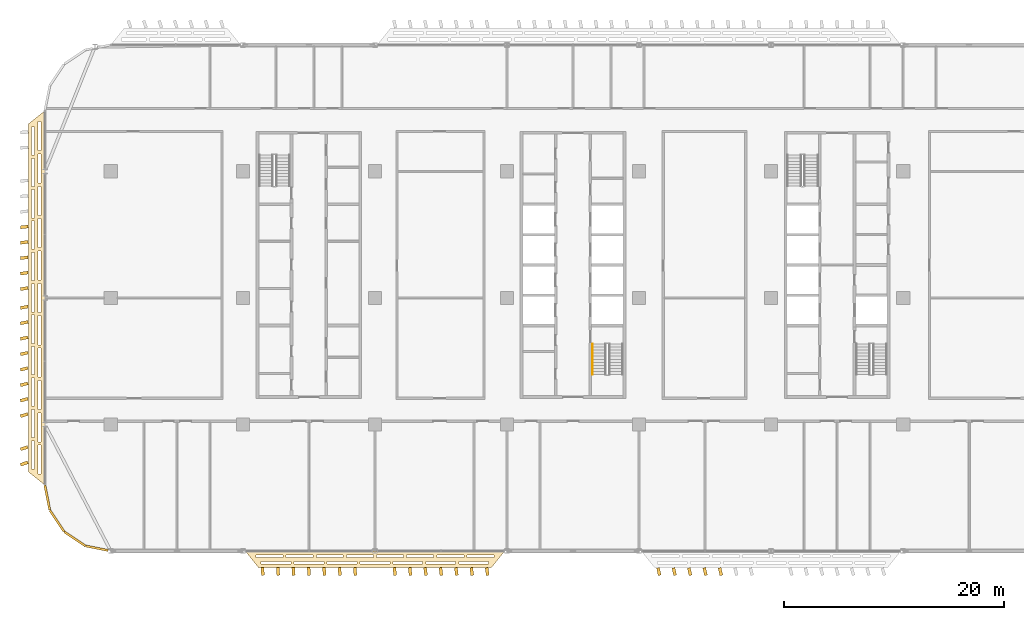
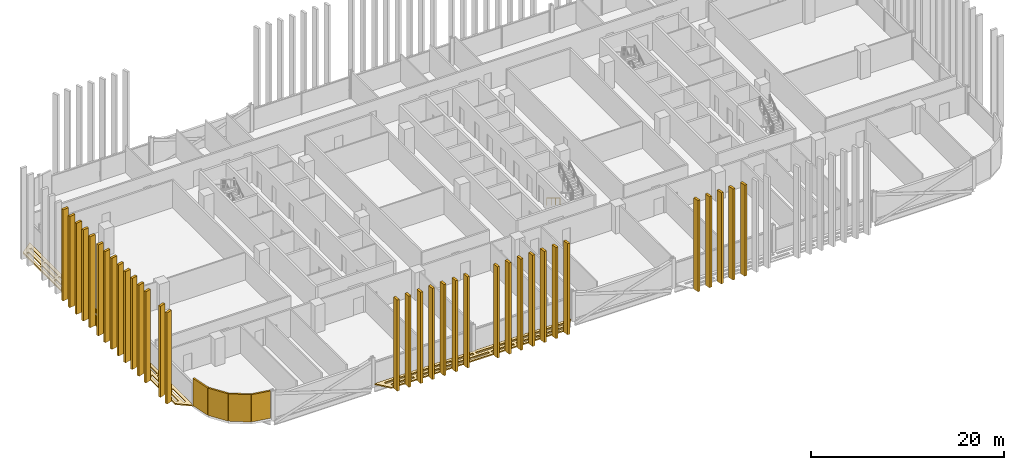
# One storey, part 23 of 28: 40 coverings, 1 railing.
"""IFC4 building model written with IfcOpenShell, lengths in metres."""

from ifc_helpers import new_model, si_unit, direction, frame, origin, origin_2d, place, context, subcontext, project, spatial, polyline, rectangle, circle, outline, extrude, material, layer, layer_set, type_object, element, save


model = new_model("IFC4")

# Units and contexts
model_context = context("Model", 3, precision=1e-05, world=origin(), true_north=direction((0.0, 1.0)))
body_context = subcontext(model_context, "Body", "Model", "MODEL_VIEW")
ifc_project = project(units=[si_unit("LENGTHUNIT", "METRE"), si_unit("AREAUNIT", "SQUARE_METRE"), si_unit("VOLUMEUNIT", "CUBIC_METRE"), si_unit("PLANEANGLEUNIT", "RADIAN"), si_unit("MASSUNIT", "GRAM", prefix="KILO")], contexts=[model_context])

# Site, building, storey
site_placement = place(None, origin())
site = spatial("IfcSite", under=ifc_project, at=site_placement, CompositionType="ELEMENT")
building_placement = place(site_placement, origin())
building = spatial("IfcBuilding", under=site, at=building_placement, Name="Mahtab Terrace Research Tower", CompositionType="ELEMENT")
storey_placement = place(building_placement, frame((0.0, 0.0, 174.39990234375)))
storey = spatial("IfcBuildingStorey", under=building, at=storey_placement, Name="L41", CompositionType="ELEMENT", Elevation=174.39990234375)

# Coverings
ifc_material_1 = material(Name="Black aluminium cladding panel", Category="aluminium")
ifc_layer_1 = layer(ifc_material_1, 0.199951171875)
ifc_layer_set_1 = layer_set([ifc_layer_1], Name="Black metal corner cladding 200")
covering_type_1 = type_object("IfcCoveringType", Name="Black metal corner cladding 200", PredefinedType="CLADDING", material=ifc_layer_set_1)
for number, where, z_axis, x_axis, name in (
    (1, (-47.771484375, -18.14794921875, 0.0), (0.0, 0.0, 1.0), (0.195212442692, -0.980760981187, 0.0), "Corner cladding L41 19"),
    (2, (-46.89306640625, -20.26953125, 0.0), (0.0, 0.0, 1.0), (0.555291490808, -0.831655794326, 0.0), "Corner cladding L41 20"),
    (3, (-45.26953125, -21.89306640625, 0.0), (0.0, 0.0, 1.0), (0.831655794326, -0.555291490808, 0.0), "Corner cladding L41 21"),
):
    element("IfcCovering", number, at=place(storey_placement, frame(where, z_axis=z_axis, x_axis=x_axis)), inside=storey, type_object=covering_type_1, Name=name, PredefinedType="CLADDING", context=body_context, shape_type="SweptSolid", body=[
        extrude(rectangle(XDim=2.30126953125, YDim=0.199951171875, at=origin_2d()), origin(), (0.0, 0.0, 1.0), 3.4599609375),
    ])
covering_1_placement = place(storey_placement, frame((-43.25830078125, -22.74951171875, 0.0), z_axis=(0.0, 0.0, 1.0), x_axis=(0.980760981187, -0.195212442692, 0.0)))
element("IfcCovering", 4, at=covering_1_placement, inside=storey, type_object=covering_type_1, Name="Corner cladding L41 22", PredefinedType="CLADDING", context=body_context, shape_type="SweptSolid", body=[
    extrude(rectangle(XDim=2.07666015625, YDim=0.199951171875, at=origin_2d()), origin(), (0.0, 0.0, 1.0), 3.4599609375),
])
ifc_material_2 = material(Name="Black anodised aluminium", Category="aluminium")
ifc_layer_2 = layer(ifc_material_2, 0.14990234375)
ifc_layer_set_2 = layer_set([ifc_layer_2], Name="Horizontal sunshade band")
covering_type_2 = type_object("IfcCoveringType", Name="Horizontal sunshade band", PredefinedType="CLADDING", material=ifc_layer_set_2)
covering_2_placement = place(storey_placement, frame((0.0, 0.0, -0.14990234375)))
element("IfcCovering", 5, at=covering_2_placement, inside=storey, type_object=covering_type_2, Name="Sunshade band L41 15", PredefinedType="CLADDING", context=body_context, shape_type="SweptSolid", body=[
    extrude(outline(polyline([(-48.0, 17.0), (-48.0, -17.0), (-49.5, -15.800048828125), (-49.5, 15.800048828125), (-48.0, 17.0)]), holes=[polyline([(-48.35009765625, 16.02001953125), (-48.35009765625, 13.3798828125), (-48.60009765625, 13.3798828125), (-48.60009765625, 16.02001953125), (-48.35009765625, 16.02001953125)]), polyline([(-48.35009765625, 13.080078125), (-48.35009765625, 10.43994140625), (-48.60009765625, 10.43994140625), (-48.60009765625, 13.080078125), (-48.35009765625, 13.080078125)]), polyline([(-48.35009765625, 10.139892578125), (-48.35009765625, 7.5), (-48.60009765625, 7.5), (-48.60009765625, 10.139892578125), (-48.35009765625, 10.139892578125)]), polyline([(-48.35009765625, 7.199951171875), (-48.35009765625, 4.56005859375), (-48.60009765625, 4.56005859375), (-48.60009765625, 7.199951171875), (-48.35009765625, 7.199951171875)]), polyline([(-48.35009765625, 4.260009765625), (-48.35009765625, 1.6201171875), (-48.60009765625, 1.6201171875), (-48.60009765625, 4.260009765625), (-48.35009765625, 4.260009765625)]), polyline([(-48.35009765625, 1.320068359375), (-48.35009765625, -1.320068359375), (-48.60009765625, -1.320068359375), (-48.60009765625, 1.320068359375), (-48.35009765625, 1.320068359375)]), polyline([(-48.35009765625, -1.6201171875), (-48.35009765625, -4.260009765625), (-48.60009765625, -4.260009765625), (-48.60009765625, -1.6201171875), (-48.35009765625, -1.6201171875)]), polyline([(-48.35009765625, -4.56005859375), (-48.35009765625, -7.199951171875), (-48.60009765625, -7.199951171875), (-48.60009765625, -4.56005859375), (-48.35009765625, -4.56005859375)]), polyline([(-48.35009765625, -7.5), (-48.35009765625, -10.139892578125), (-48.60009765625, -10.139892578125), (-48.60009765625, -7.5), (-48.35009765625, -7.5)]), polyline([(-48.35009765625, -10.43994140625), (-48.35009765625, -13.080078125), (-48.60009765625, -13.080078125), (-48.60009765625, -10.43994140625), (-48.35009765625, -10.43994140625)]), polyline([(-48.35009765625, -13.3798828125), (-48.35009765625, -16.02001953125), (-48.60009765625, -16.02001953125), (-48.60009765625, -13.3798828125), (-48.35009765625, -13.3798828125)]), polyline([(-48.949951171875, 15.5400390625), (-48.949951171875, 12.987060546875), (-49.199951171875, 12.987060546875), (-49.199951171875, 15.5400390625), (-48.949951171875, 15.5400390625)]), polyline([(-48.949951171875, 12.68701171875), (-48.949951171875, 10.135009765625), (-49.199951171875, 10.135009765625), (-49.199951171875, 12.68701171875), (-48.949951171875, 12.68701171875)]), polyline([(-48.949951171875, 9.8349609375), (-48.949951171875, 7.281982421875), (-49.199951171875, 7.281982421875), (-49.199951171875, 9.8349609375), (-48.949951171875, 9.8349609375)]), polyline([(-48.949951171875, 6.98193359375), (-48.949951171875, 4.428955078125), (-49.199951171875, 4.428955078125), (-49.199951171875, 6.98193359375), (-48.949951171875, 6.98193359375)]), polyline([(-48.949951171875, 4.12890625), (-48.949951171875, 1.575927734375), (-49.199951171875, 1.575927734375), (-49.199951171875, 4.12890625), (-48.949951171875, 4.12890625)]), polyline([(-48.949951171875, 1.27587890625), (-48.949951171875, -1.27587890625), (-49.199951171875, -1.27587890625), (-49.199951171875, 1.27587890625), (-48.949951171875, 1.27587890625)]), polyline([(-48.949951171875, -1.575927734375), (-48.949951171875, -4.12890625), (-49.199951171875, -4.12890625), (-49.199951171875, -1.575927734375), (-48.949951171875, -1.575927734375)]), polyline([(-48.949951171875, -4.428955078125), (-48.949951171875, -6.98193359375), (-49.199951171875, -6.98193359375), (-49.199951171875, -4.428955078125), (-48.949951171875, -4.428955078125)]), polyline([(-48.949951171875, -7.281982421875), (-48.949951171875, -9.8349609375), (-49.199951171875, -9.8349609375), (-49.199951171875, -7.281982421875), (-48.949951171875, -7.281982421875)]), polyline([(-48.949951171875, -10.135009765625), (-48.949951171875, -12.68701171875), (-49.199951171875, -12.68701171875), (-49.199951171875, -10.135009765625), (-48.949951171875, -10.135009765625)]), polyline([(-48.949951171875, -12.987060546875), (-48.949951171875, -15.5400390625), (-49.199951171875, -15.5400390625), (-49.199951171875, -12.987060546875), (-48.949951171875, -12.987060546875)])]), origin(), (0.0, 0.0, 1.0), 0.14990234375),
])
covering_3_placement = place(storey_placement, frame((0.0, 0.0, -0.14990234375)))
element("IfcCovering", 6, at=covering_3_placement, inside=storey, type_object=covering_type_2, Name="Sunshade band L41 24", PredefinedType="CLADDING", context=body_context, shape_type="SweptSolid", body=[
    extrude(outline(polyline([(-29.7919921875, -23.0), (-6.2080078125, -23.0), (-7.407958984375, -24.5), (-28.592041015625, -24.5), (-29.7919921875, -23.0)]), holes=[polyline([(-28.81201171875, -23.35009765625), (-26.3720703125, -23.35009765625), (-26.3720703125, -23.60009765625), (-28.81201171875, -23.60009765625), (-28.81201171875, -23.35009765625)]), polyline([(-26.072021484375, -23.35009765625), (-23.631103515625, -23.35009765625), (-23.631103515625, -23.60009765625), (-26.072021484375, -23.60009765625), (-26.072021484375, -23.35009765625)]), polyline([(-23.3310546875, -23.35009765625), (-20.889892578125, -23.35009765625), (-20.889892578125, -23.60009765625), (-23.3310546875, -23.60009765625), (-23.3310546875, -23.35009765625)]), polyline([(-20.590087890625, -23.35009765625), (-18.14990234375, -23.35009765625), (-18.14990234375, -23.60009765625), (-20.590087890625, -23.60009765625), (-20.590087890625, -23.35009765625)]), polyline([(-17.85009765625, -23.35009765625), (-15.409912109375, -23.35009765625), (-15.409912109375, -23.60009765625), (-17.85009765625, -23.60009765625), (-17.85009765625, -23.35009765625)]), polyline([(-15.10888671875, -23.35009765625), (-12.6689453125, -23.35009765625), (-12.6689453125, -23.60009765625), (-15.10888671875, -23.60009765625), (-15.10888671875, -23.35009765625)]), polyline([(-12.368896484375, -23.35009765625), (-9.927978515625, -23.35009765625), (-9.927978515625, -23.60009765625), (-12.368896484375, -23.60009765625), (-12.368896484375, -23.35009765625)]), polyline([(-9.62890625, -23.35009765625), (-7.18798828125, -23.35009765625), (-7.18798828125, -23.60009765625), (-9.62890625, -23.60009765625), (-9.62890625, -23.35009765625)]), polyline([(-28.33203125, -23.949951171875), (-25.636962890625, -23.949951171875), (-25.636962890625, -24.199951171875), (-28.33203125, -24.199951171875), (-28.33203125, -23.949951171875)]), polyline([(-25.3369140625, -23.949951171875), (-22.64208984375, -23.949951171875), (-22.64208984375, -24.199951171875), (-25.3369140625, -24.199951171875), (-25.3369140625, -23.949951171875)]), polyline([(-22.342041015625, -23.949951171875), (-19.64697265625, -23.949951171875), (-19.64697265625, -24.199951171875), (-22.342041015625, -24.199951171875), (-22.342041015625, -23.949951171875)]), polyline([(-19.346923828125, -23.949951171875), (-16.653076171875, -23.949951171875), (-16.653076171875, -24.199951171875), (-19.346923828125, -24.199951171875), (-19.346923828125, -23.949951171875)]), polyline([(-16.35302734375, -23.949951171875), (-13.657958984375, -23.949951171875), (-13.657958984375, -24.199951171875), (-16.35302734375, -24.199951171875), (-16.35302734375, -23.949951171875)]), polyline([(-13.35791015625, -23.949951171875), (-10.6630859375, -23.949951171875), (-10.6630859375, -24.199951171875), (-13.35791015625, -24.199951171875), (-13.35791015625, -23.949951171875)]), polyline([(-10.363037109375, -23.949951171875), (-7.66796875, -23.949951171875), (-7.66796875, -24.199951171875), (-10.363037109375, -24.199951171875), (-10.363037109375, -23.949951171875)])]), origin(), (0.0, 0.0, 1.0), 0.14990234375),
])

# Railing
ifc_material_3 = material(Name="Stainless steel AISI 304", Category="steel")
railing_type = type_object("IfcRailingType", Name="Stair handrail 900", PredefinedType="HANDRAIL", material=ifc_material_3)
railing_placement = place(storey_placement, frame((1.75, -4.175048828125, 0.1728515625)))
element("IfcRailing", 7, at=railing_placement, inside=storey, type_object=railing_type, Name="L41 ST2 stair handrail 1", PredefinedType="HANDRAIL", context=body_context, shape_type="SweptSolid", body=[
    extrude(circle(Radius=0.02392578125, at=origin_2d()), frame((0.0, 0.0, 0.8759765625), z_axis=(0.0, -0.851089632645, 0.525020415988), x_axis=(1.0, 0.0, 0.0)), (0.0, 0.0, 1.0), 3.2900390625),
    extrude(circle(Radius=0.02099609375, at=origin_2d()), origin(), (0.0, 0.0, 1.0), 0.851806640625),
    extrude(circle(Radius=0.02099609375, at=origin_2d()), frame((0.0, -0.933349609375, 0.57568359375)), (0.0, 0.0, 1.0), 0.851806640625),
    extrude(circle(Radius=0.02099609375, at=origin_2d()), frame((0.0, -1.86669921875, 1.151611328125)), (0.0, 0.0, 1.0), 0.851806640625),
    extrude(circle(Radius=0.02099609375, at=origin_2d()), frame((0.0, -2.800048828125, 1.727294921875)), (0.0, 0.0, 1.0), 0.851806640625),
])

# Coverings
ifc_material_4 = material(Name="Bronze anodised aluminium", Category="aluminium")
ifc_layer_3 = layer(ifc_material_4, 0.1201171875)
ifc_layer_set_3 = layer_set([ifc_layer_3], Name="Vertical fin 700")
covering_type_3 = type_object("IfcCoveringType", Name="Vertical fin 700", PredefinedType="CLADDING", material=ifc_layer_set_3)
for number, where, z_axis, x_axis, name in (
    (8, (-49.863037109375, 6.449951171875, -0.14990234375), (0.0, 0.0, 1.0), (0.108101421065, -0.994139870825, 0.0), "Fin L41 W4"),
    (9, (-49.864501953125, 5.050048828125, -0.14990234375), (0.0, 0.0, 1.0), (0.122378833164, -0.992483461421, 0.0), "Fin L41 W5"),
    (10, (-49.865966796875, 3.64990234375, -0.14990234375), (0.0, 0.0, 1.0), (0.136630963225, -0.990622016658, 0.0), "Fin L41 W6"),
    (11, (-49.8671875, 2.25, -0.14990234375), (0.0, 0.0, 1.0), (0.15085486696, -0.988555921086, 0.0), "Fin L41 W7"),
    (12, (-49.868408203125, 0.85009765625, -0.14990234375), (0.0, 0.0, 1.0), (0.165047605861, -0.986285601537, 0.0), "Fin L41 W8"),
    (13, (-49.86962890625, -0.85009765625, -0.14990234375), (0.0, 0.0, 1.0), (0.182235525492, -0.983254907564, 0.0), "Fin L41 W1"),
    (14, (-49.87060546875, -2.25, -0.14990234375), (0.0, 0.0, 1.0), (0.196348832524, -0.980534107498, 0.0), "Fin L41 W2"),
    (15, (-49.87158203125, -3.64990234375, -0.14990234375), (0.0, 0.0, 1.0), (0.210421576206, -0.977610740667, 0.0), "Fin L41 W3"),
    (16, (-49.87255859375, -5.050048828125, -0.14990234375), (0.0, 0.0, 1.0), (0.224450849259, -0.974485411008, 0.0), "Fin L41 W4"),
    (17, (-49.873291015625, -6.449951171875, -0.14990234375), (0.0, 0.0, 1.0), (0.238433753434, -0.971158764169, 0.0), "Fin L41 W5"),
    (18, (-49.8740234375, -7.85009765625, -0.14990234375), (0.0, 0.0, 1.0), (0.252367400013, -0.967631487401, 0.0), "Fin L41 W6"),
    (19, (-49.874755859375, -9.25, -0.14990234375), (0.0, 0.0, 1.0), (0.266248910467, -0.963904309397, 0.0), "Fin L41 W7"),
    (20, (-49.875244140625, -10.64990234375, -0.14990234375), (0.0, 0.0, 1.0), (0.280075417025, -0.959978000153, 0.0), "Fin L41 W8"),
    (21, (-49.876220703125, -13.654052734375, -0.14990234375), (0.0, 0.0, 1.0), (0.30954421136, -0.950885051525, 0.0), "Fin L41 W1"),
    (22, (-49.87646484375, -15.053955078125, -0.14990234375), (0.0, 0.0, 1.0), (0.323179122533, -0.946337812178, 0.0), "Fin L41 W2"),
    (23, (-28.199951171875, -24.857421875, -0.14990234375), (0.0, 0.0, 1.0), (0.998356138179, 0.057315105867, 0.0), "Fin L41 S1"),
    (24, (-26.800048828125, -24.858154296875, -0.14990234375), (0.0, 0.0, 1.0), (0.998005798968, 0.063122303718, 0.0), "Fin L41 S2"),
    (25, (-25.39990234375, -24.85888671875, -0.14990234375), (0.0, 0.0, 1.0), (0.997621680969, 0.068927365114, 0.0), "Fin L41 S3"),
    (26, (-24.0, -24.859375, -0.14990234375), (0.0, 0.0, 1.0), (0.997203797181, 0.074730093591, 0.0), "Fin L41 S4"),
    (27, (-22.60009765625, -24.860107421875, -0.14990234375), (0.0, 0.0, 1.0), (0.996752161751, 0.080530292716, 0.0), "Fin L41 S5"),
    (28, (-21.199951171875, -24.86083984375, -0.14990234375), (0.0, 0.0, 1.0), (0.996266789964, 0.086327766189, 0.0), "Fin L41 S6"),
    (29, (-19.800048828125, -24.861328125, -0.14990234375), (0.0, 0.0, 1.0), (0.995747698246, 0.092122317805, 0.0), "Fin L41 S7"),
    (30, (-16.199951171875, -24.863037109375, -0.14990234375), (0.0, 0.0, 1.0), (0.994258180634, 0.107007804585, 0.0), "Fin L41 S1"),
    (31, (-14.800048828125, -24.863525390625, -0.14990234375), (0.0, 0.0, 1.0), (0.993618812002, 0.112790320663, 0.0), "Fin L41 S2"),
    (32, (-13.39990234375, -24.864013671875, -0.14990234375), (0.0, 0.0, 1.0), (0.992945813063, 0.118569019226, 0.0), "Fin L41 S3"),
    (33, (-12.0, -24.86474609375, -0.14990234375), (0.0, 0.0, 1.0), (0.9922392066, 0.12434370465, 0.0), "Fin L41 S4"),
    (34, (-10.60009765625, -24.865234375, -0.14990234375), (0.0, 0.0, 1.0), (0.991499016526, 0.130114181502, 0.0), "Fin L41 S5"),
    (35, (-9.199951171875, -24.86572265625, -0.14990234375), (0.0, 0.0, 1.0), (0.990725267892, 0.135880254489, 0.0), "Fin L41 S6"),
    (36, (-7.800048828125, -24.8662109375, -0.14990234375), (0.0, 0.0, 1.0), (0.989917986891, 0.141641728418, 0.0), "Fin L41 S7"),
    (37, (7.800048828125, -24.871337890625, -0.14990234375), (0.0, 0.0, 1.0), (0.978662951719, 0.205472204767, 0.0), "Fin L41 S1"),
    (38, (9.199951171875, -24.87158203125, -0.14990234375), (0.0, 0.0, 1.0), (0.97745100758, 0.211162325667, 0.0), "Fin L41 S2"),
    (39, (10.60009765625, -24.8720703125, -0.14990234375), (0.0, 0.0, 1.0), (0.976205980352, 0.216845299523, 0.0), "Fin L41 S3"),
    (40, (12.0, -24.872314453125, -0.14990234375), (0.0, 0.0, 1.0), (0.974927912182, 0.222520933954, 0.0), "Fin L41 S4"),
    (41, (13.39990234375, -24.872802734375, -0.14990234375), (0.0, 0.0, 1.0), (0.973616846325, 0.228189036878, 0.0), "Fin L41 S5"),
):
    element("IfcCovering", number, at=place(storey_placement, frame(where, z_axis=z_axis, x_axis=x_axis)), inside=storey, type_object=covering_type_3, Name=name, PredefinedType="CLADDING", context=body_context, shape_type="SweptSolid", body=[
        extrude(rectangle(XDim=0.280029296875, YDim=0.699951171875, at=origin_2d()), origin(), (0.0, 0.0, 1.0), 11.550048828125),
    ])

save(model, "model.ifc")
